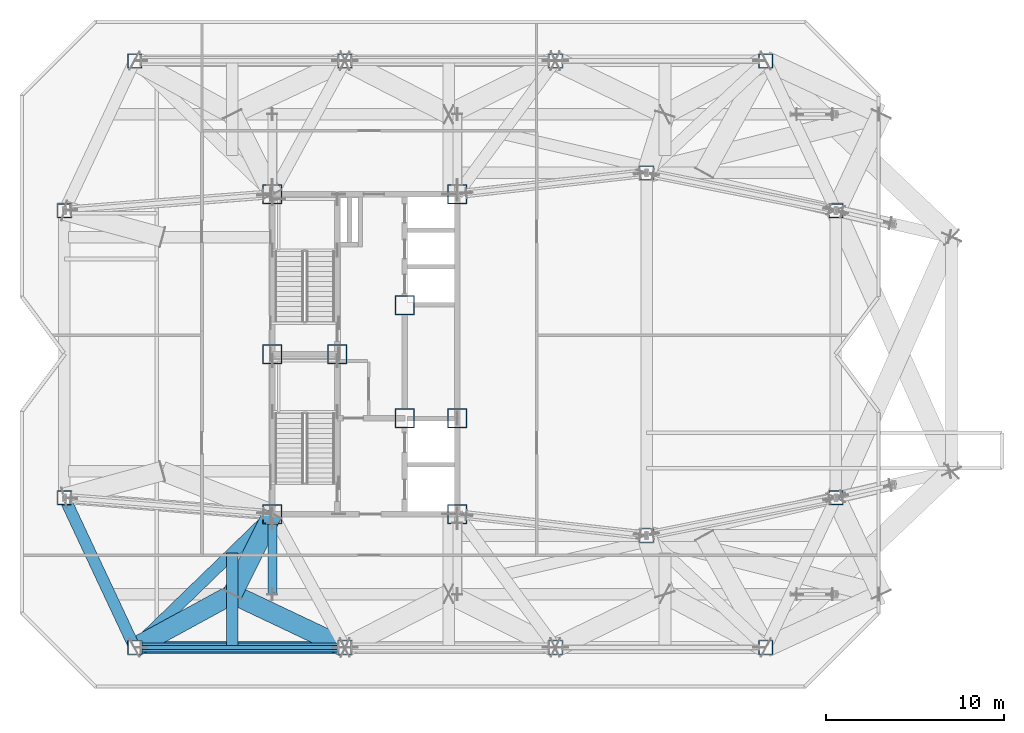
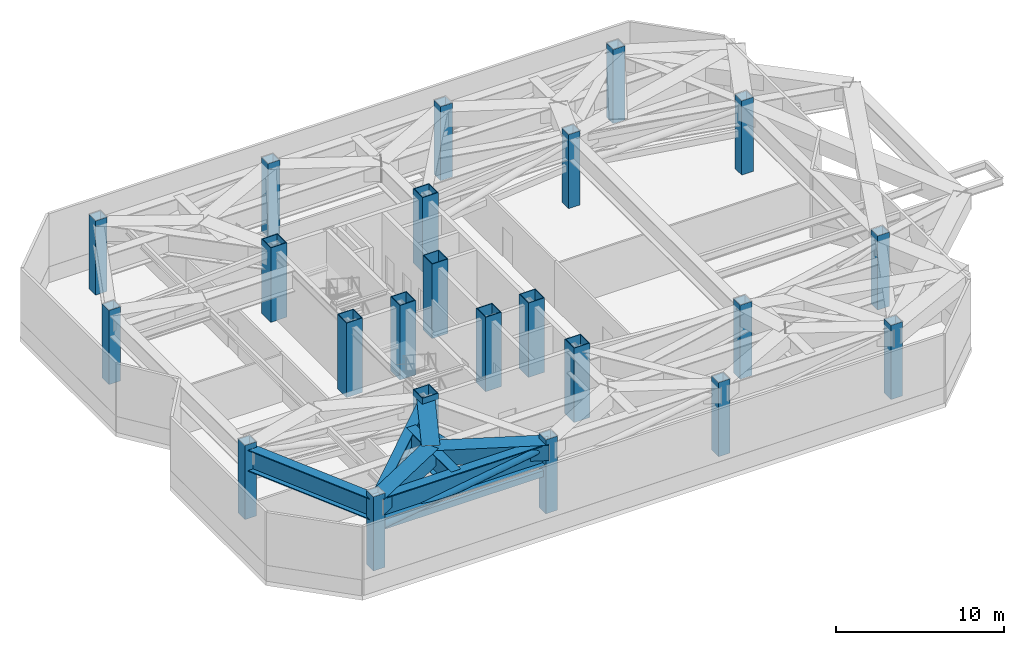
# One storey, part 1 of 19: 23 columns, 7 beams, 3 members.
"""IFC4 building model written with IfcOpenShell, lengths in metres."""

from ifc_helpers import new_model, si_unit, direction, frame, origin, origin_2d, place, context, subcontext, project, spatial, hollow_rectangle, hollow_circle, i_section, extrude, material, material_profile, profile_set, type_object, element, save


model = new_model("IFC4")

# Units and contexts
model_context = context("Model", 3, precision=1e-05, world=origin(), true_north=direction((0.0, 1.0)))
body_context = subcontext(model_context, "Body", "Model", "MODEL_VIEW")
ifc_project = project(units=[si_unit("LENGTHUNIT", "METRE"), si_unit("AREAUNIT", "SQUARE_METRE"), si_unit("VOLUMEUNIT", "CUBIC_METRE"), si_unit("PLANEANGLEUNIT", "RADIAN"), si_unit("MASSUNIT", "GRAM", prefix="KILO")], contexts=[model_context])

# Site, building, storey
site_placement = place(None, origin())
site = spatial("IfcSite", under=ifc_project, at=site_placement, CompositionType="ELEMENT")
building_placement = place(site_placement, origin())
building = spatial("IfcBuilding", under=site, at=building_placement, Name="Khamvora Tower", CompositionType="ELEMENT")
storey_placement = place(building_placement, frame((0.0, 0.0, 211.800048828125)))
storey = spatial("IfcBuildingStorey", under=building, at=storey_placement, Name="L54", CompositionType="ELEMENT", Elevation=211.800048828125)

# Columns
ifc_material_1 = material(Name="Steel S460", Category="steel")
ifc_material_profile_1 = material_profile(ifc_material_1, hollow_rectangle(XDim=1.10009765625, YDim=1.10009765625, WallThickness=0.054931640625, at=origin_2d()), Name="BOX1100x1100x55")
ifc_profile_set_1 = profile_set([ifc_material_profile_1], Name="Steel S460")
column_type_1 = type_object("IfcColumnType", Name="COL-BOX1100", PredefinedType="COLUMN", material=ifc_profile_set_1)
for number, where, z_axis, x_axis, name in (
    (1, (29.0, 19.0, 0.0), (0.0, 0.0, 1.0), (1.0, 0.0, 0.0), "L54 plumb core spine column SC1"),
    (2, (32.64990234375, 28.0, 0.0), (0.0, 0.0, 1.0), (1.0, 0.0, 0.0), "L54 plumb core spine column SC2"),
    (3, (39.39990234375, 19.0, 0.0), (0.0, 0.0, 1.0), (1.0, 0.0, 0.0), "L54 plumb core spine column SC3"),
    (4, (29.0, 28.0, 0.0), (0.0, 0.0, 1.0), (1.0, 0.0, 0.0), "L54 plumb core spine column SC4"),
    (5, (36.449951171875, 24.39990234375, 0.0), (0.0, 0.0, 1.0), (1.0, 0.0, 0.0), "L54 plumb core spine column SC5"),
    (6, (39.39990234375, 24.39990234375, 0.0), (0.0, 0.0, 1.0), (1.0, 0.0, 0.0), "L54 plumb core spine column SC6"),
    (7, (29.0, 37.0, 0.0), (0.0, 0.0, 1.0), (1.0, 0.0, 0.0), "L54 plumb core spine column SC7"),
    (8, (36.449951171875, 30.75, 0.0), (0.0, 0.0, 1.0), (1.0, 0.0, 0.0), "L54 plumb core spine column SC8"),
    (9, (39.39990234375, 37.0, 0.0), (0.0, 0.0, 1.0), (1.0, 0.0, 0.0), "L54 plumb core spine column SC9"),
):
    element("IfcColumn", number, at=place(storey_placement, frame(where, z_axis=z_axis, x_axis=x_axis)), inside=storey, type_object=column_type_1, Name=name, PredefinedType="COLUMN", context=body_context, shape_type="SweptSolid", body=[
        extrude(hollow_rectangle(XDim=1.10009765625, YDim=1.10009765625, WallThickness=0.054931640625, at=origin_2d()), origin(), (0.0, 0.0, 1.0), 5.39990234375),
    ])
ifc_material_2 = material(Name="Steel S355", Category="steel")
ifc_material_profile_2 = material_profile(ifc_material_2, hollow_rectangle(XDim=0.800048828125, YDim=0.800048828125, WallThickness=0.0400390625, at=origin_2d()), Name="BOX800x800x40")
ifc_profile_set_2 = profile_set([ifc_material_profile_2], Name="Steel S355")
column_type_2 = type_object("IfcColumnType", Name="COL-BOX800", PredefinedType="COLUMN", material=ifc_profile_set_2)
for number, where, z_axis, x_axis, name in (
    (10, (21.25, 11.5, 0.0), (0.0, 0.0, 1.0), (1.0, 0.0, 0.0), "L54 structural frame column S1"),
    (11, (33.0830078125, 11.5, 0.0), (0.0, 0.0, 1.0), (1.0, 0.0, 0.0), "L54 structural frame column S2"),
    (12, (44.9169921875, 11.5, 0.0), (0.0, 0.0, 1.0), (1.0, 0.0, 0.0), "L54 structural frame column S3"),
    (13, (56.75, 11.5, 0.0), (0.0, 0.0, 1.0), (1.0, 0.0, 0.0), "L54 structural frame column S4"),
    (14, (21.25, 44.5, 0.0), (0.0, 0.0, 1.0), (1.0, 0.0, 0.0), "L54 structural frame column N1"),
    (15, (33.0830078125, 44.5, 0.0), (0.0, 0.0, 1.0), (1.0, 0.0, 0.0), "L54 structural frame column N2"),
    (16, (44.9169921875, 44.5, 0.0), (0.0, 0.0, 1.0), (1.0, 0.0, 0.0), "L54 structural frame column N3"),
    (17, (56.75, 44.5, 0.0), (0.0, 0.0, 1.0), (1.0, 0.0, 0.0), "L54 structural frame column N4"),
    (18, (17.300048828125, 19.925048828125, 0.0), (0.0, 0.0, 1.0), (1.0, 0.0, 0.0), "L54 structural frame column W1"),
    (19, (17.300048828125, 36.074951171875, 0.0), (0.0, 0.0, 1.0), (1.0, 0.0, 0.0), "L54 structural frame column W2"),
    (20, (60.699951171875, 19.925048828125, 0.0), (0.0, 0.0, 1.0), (1.0, 0.0, 0.0), "L54 structural frame column E1"),
    (21, (60.699951171875, 36.074951171875, 0.0), (0.0, 0.0, 1.0), (1.0, 0.0, 0.0), "L54 structural frame column E2"),
    (22, (50.050048828125, 17.800048828125, 0.0), (0.0, 0.0, 1.0), (1.0, 0.0, 0.0), "L54 structural frame column M1"),
    (23, (50.050048828125, 38.199951171875, 0.0), (0.0, 0.0, 1.0), (1.0, 0.0, 0.0), "L54 structural frame column M2"),
):
    element("IfcColumn", number, at=place(storey_placement, frame(where, z_axis=z_axis, x_axis=x_axis)), inside=storey, type_object=column_type_2, Name=name, PredefinedType="COLUMN", context=body_context, shape_type="SweptSolid", body=[
        extrude(hollow_rectangle(XDim=0.800048828125, YDim=0.800048828125, WallThickness=0.0400390625, at=origin_2d()), origin(), (0.0, 0.0, 1.0), 5.375),
    ])

# Beams
ifc_material_profile_3 = material_profile(ifc_material_1, hollow_rectangle(XDim=1.10009765625, YDim=1.10009765625, WallThickness=0.054931640625, at=origin_2d()), Name="BOX1100x1100x55")
ifc_profile_set_3 = profile_set([ifc_material_profile_3], Name="Steel S460")
beam_type_1 = type_object("IfcBeamType", Name="BM-TG-BOX1100", PredefinedType="BEAM", material=ifc_profile_set_3)
beam_1_placement = place(storey_placement, frame((29.0, 19.0, 4.429931640625), z_axis=(-0.4472135955, -0.894427191, 0.0), x_axis=(0.894427191, -0.4472135955, 0.0)))
element("IfcBeam", 24, at=beam_1_placement, inside=storey, type_object=beam_type_1, Name="L54 Zone Transfer Truss frame transfer link S1.1", PredefinedType="BEAM", context=body_context, shape_type="SweptSolid", body=[
    extrude(hollow_rectangle(XDim=1.10009765625, YDim=1.10009765625, WallThickness=0.054931640625, at=origin_2d()), origin(), (0.0, 0.0, 1.0), 5.03125),
])
beam_2_placement = place(storey_placement, frame((21.25, 11.5, 4.429931640625), z_axis=(0.877895572914, 0.478852130681, 0.0), x_axis=(-0.478852130681, 0.877895572914, 0.0)))
element("IfcBeam", 25, at=beam_2_placement, inside=storey, type_object=beam_type_1, Name="L54 Zone Transfer Truss frame transfer link S1.2", PredefinedType="BEAM", context=body_context, shape_type="SweptSolid", body=[
    extrude(hollow_rectangle(XDim=1.10009765625, YDim=1.10009765625, WallThickness=0.054931640625, at=origin_2d()), origin(), (0.0, 0.0, 1.0), 6.264892578125),
])
beam_3_placement = place(storey_placement, frame((33.0830078125, 11.5, 4.429931640625), z_axis=(-0.903729325965, 0.428104316016, 0.0), x_axis=(-0.428104316016, -0.903729325965, 0.0)))
element("IfcBeam", 26, at=beam_3_placement, inside=storey, type_object=beam_type_1, Name="L54 Zone Transfer Truss frame transfer link S1.3", PredefinedType="BEAM", context=body_context, shape_type="SweptSolid", body=[
    extrude(hollow_rectangle(XDim=1.10009765625, YDim=1.10009765625, WallThickness=0.054931640625, at=origin_2d()), origin(), (0.0, 0.0, 1.0), 7.007568359375),
])
ifc_material_profile_4 = material_profile(ifc_material_1, i_section(OverallWidth=0.64990234375, OverallDepth=1.550048828125, WebThickness=0.0400390625, FlangeThickness=0.06494140625, at=origin_2d()), Name="PG1550x650x40x65")
ifc_profile_set_4 = profile_set([ifc_material_profile_4], Name="Steel S460")
beam_type_2 = type_object("IfcBeamType", Name="BM-TG-PG1800", PredefinedType="BEAM", material=ifc_profile_set_4)
beam_4_placement = place(storey_placement, frame((17.300048828125, 19.925048828125, 4.204833984375), z_axis=(0.424496391454, -0.905429629315, 0.0), x_axis=(0.905429629315, 0.424496391454, 0.0)))
element("IfcBeam", 27, at=beam_4_placement, inside=storey, type_object=beam_type_2, Name="L54 perimeter spandrel beam W1-S1", PredefinedType="BEAM", context=body_context, shape_type="SweptSolid", body=[
    extrude(i_section(OverallWidth=0.64990234375, OverallDepth=1.550048828125, WebThickness=0.0400390625, FlangeThickness=0.06494140625, at=origin_2d()), origin(), (0.0, 0.0, 1.0), 9.304931640625),
])
beam_5_placement = place(storey_placement, frame((21.25, 11.5, 4.204833984375), z_axis=(1.0, 0.0, 0.0), x_axis=(0.0, 1.0, 0.0)))
element("IfcBeam", 28, at=beam_5_placement, inside=storey, type_object=beam_type_2, Name="L54 perimeter spandrel beam S1-S2", PredefinedType="BEAM", context=body_context, shape_type="SweptSolid", body=[
    extrude(i_section(OverallWidth=0.64990234375, OverallDepth=1.550048828125, WebThickness=0.0400390625, FlangeThickness=0.06494140625, at=origin_2d()), origin(), (0.0, 0.0, 1.0), 11.8330078125),
])
beam_6_placement = place(storey_placement, frame((29.0, 19.0, 4.204833984375), z_axis=(-0.718602141767, -0.695421427516, 0.0), x_axis=(0.695421427516, -0.718602141767, 0.0)))
element("IfcBeam", 29, at=beam_6_placement, inside=storey, type_object=beam_type_2, Name="L54 primary floor girder S1", PredefinedType="BEAM", context=body_context, shape_type="SweptSolid", body=[
    extrude(i_section(OverallWidth=0.64990234375, OverallDepth=1.550048828125, WebThickness=0.0400390625, FlangeThickness=0.06494140625, at=origin_2d()), origin(), (0.0, 0.0, 1.0), 10.784912109375),
])
beam_7_placement = place(storey_placement, frame((26.75, 11.5, 4.204833984375), z_axis=(0.0, 1.0, 0.0), x_axis=(-1.0, 0.0, 0.0)))
element("IfcBeam", 30, at=beam_7_placement, inside=storey, type_object=beam_type_2, Name="L54 Zone Transfer Truss Box Girder S1", PredefinedType="BEAM", context=body_context, shape_type="SweptSolid", body=[
    extrude(i_section(OverallWidth=0.64990234375, OverallDepth=1.550048828125, WebThickness=0.0400390625, FlangeThickness=0.06494140625, at=origin_2d()), origin(), (0.0, 0.0, 1.0), 5.322998046875),
])

# Members
ifc_material_profile_5 = material_profile(ifc_material_1, hollow_circle(Radius=0.25390625, WallThickness=0.02490234375, at=origin_2d()), Name="CHS508x25")
ifc_profile_set_5 = profile_set([ifc_material_profile_5], Name="Steel S460")
member_type_1 = type_object("IfcMemberType", Name="MEM-BR-CHS508", PredefinedType="BRACE", material=ifc_profile_set_5)
member_1_placement = place(storey_placement, frame((21.625, 11.5, 2.81884765625), z_axis=(0.987732072954, 0.0, 0.156158099559), x_axis=(0.0, 1.0, 0.0)))
element("IfcMember", 31, at=member_1_placement, inside=storey, type_object=member_type_1, Name="L54 Perimeter Belt Truss Diagonal 1.1", PredefinedType="BRACE", context=body_context, shape_type="SweptSolid", body=[
    extrude(hollow_circle(Radius=0.25390625, WallThickness=0.02490234375, at=origin_2d()), origin(), (0.0, 0.0, 1.0), 11.220703125),
])
ifc_material_profile_6 = material_profile(ifc_material_1, hollow_circle(Radius=0.25390625, WallThickness=0.02490234375, at=origin_2d()), Name="CHS508x25")
ifc_profile_set_6 = profile_set([ifc_material_profile_6], Name="Steel S460")
member_type_2 = type_object("IfcMemberType", Name="MEM-BR-CHS508I", PredefinedType="BRACE", material=ifc_profile_set_6)
member_2_placement = place(storey_placement, frame((29.0, 18.485107421875, 2.674072265625), z_axis=(0.0, -0.972421359479, 0.233231000574), x_axis=(1.0, 0.0, 0.0)))
element("IfcMember", 32, at=member_2_placement, inside=storey, type_object=member_type_2, Name="L54 Transfer Girder Raking Strut S4.1", PredefinedType="BRACE", context=body_context, shape_type="SweptSolid", body=[
    extrude(hollow_circle(Radius=0.25390625, WallThickness=0.02490234375, at=origin_2d()), origin(), (0.0, 0.0, 1.0), 4.09814453125),
])
ifc_material_profile_7 = material_profile(ifc_material_1, hollow_rectangle(XDim=0.25, YDim=0.449951171875, WallThickness=0.01611328125, at=origin_2d()), Name="RHS450x250x16")
ifc_profile_set_7 = profile_set([ifc_material_profile_7], Name="Steel S460")
member_type_3 = type_object("IfcMemberType", Name="MEM-CH-RHS450", PredefinedType="CHORD", material=ifc_profile_set_7)
member_3_placement = place(storey_placement, frame((21.6298828125, 11.5, 2.760009765625), z_axis=(1.0, 0.0, 0.0), x_axis=(0.0, 1.0, 0.0)))
element("IfcMember", 33, at=member_3_placement, inside=storey, type_object=member_type_3, Name="L54 Perimeter Belt Truss Bottom Chord 1.1", PredefinedType="CHORD", context=body_context, shape_type="SweptSolid", body=[
    extrude(hollow_rectangle(XDim=0.25, YDim=0.449951171875, WallThickness=0.01611328125, at=origin_2d()), origin(), (0.0, 0.0, 1.0), 11.072998046875),
])

save(model, "model.ifc")
